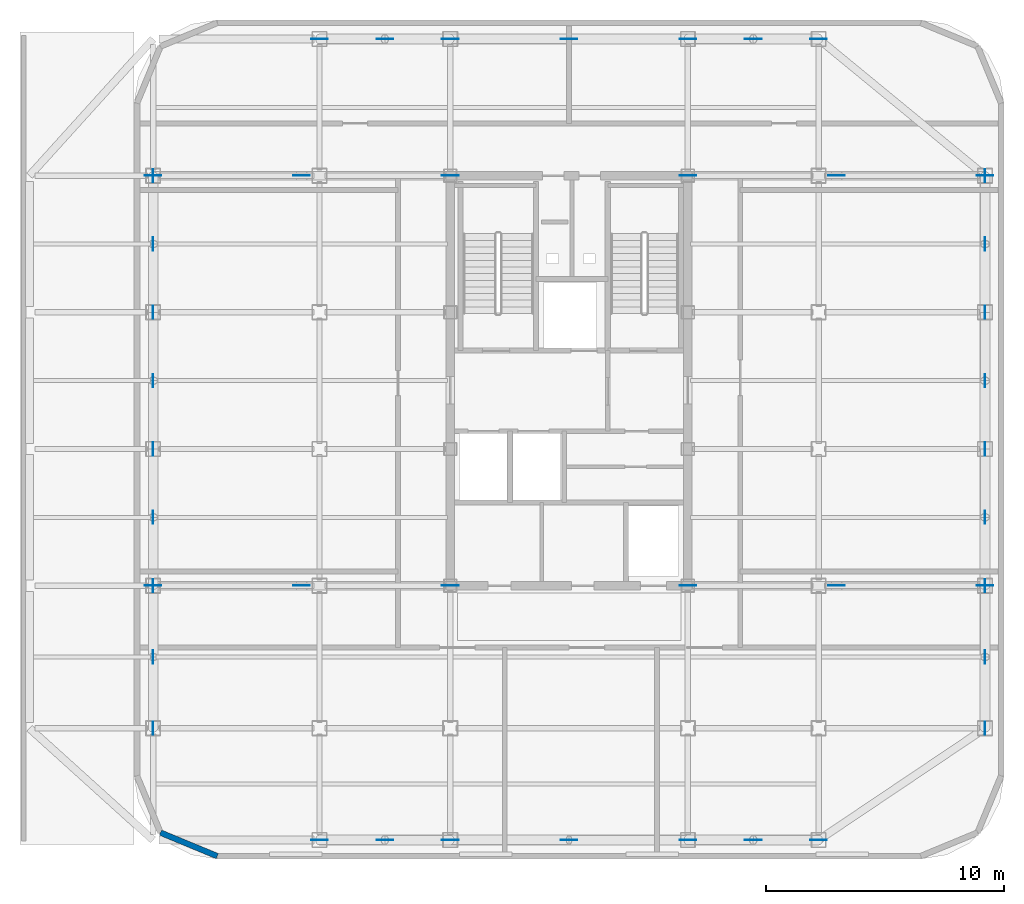
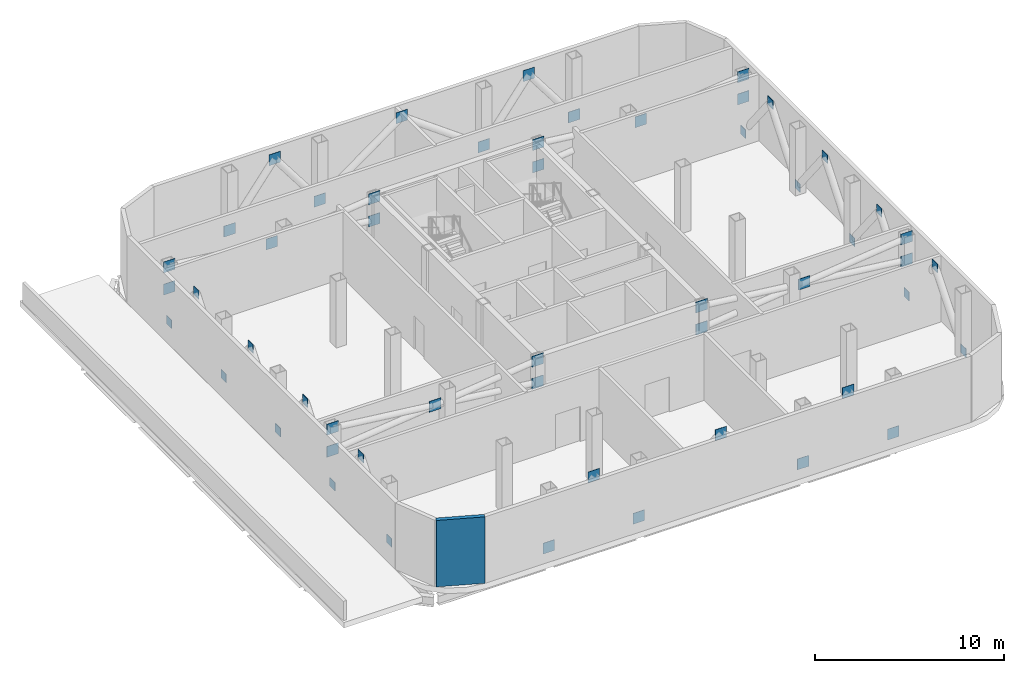
# One storey, part 4 of 7: 52 plates, 1 wall.
"""IFC4 building model written with IfcOpenShell, lengths in metres."""

from ifc_helpers import new_model, si_unit, direction, frame, frame_2d, origin, origin_2d, place, context, subcontext, project, spatial, rectangle, extrude, source, transform, mapped, material, layer, layer_set, type_object, element, save


model = new_model("IFC4")

# Units and contexts
model_context = context("Model", 3, precision=1e-05, world=origin(), true_north=direction((0.0, 1.0)))
body_context = subcontext(model_context, "Body", "Model", "MODEL_VIEW")
ifc_project = project(units=[si_unit("LENGTHUNIT", "METRE"), si_unit("AREAUNIT", "SQUARE_METRE"), si_unit("VOLUMEUNIT", "CUBIC_METRE"), si_unit("PLANEANGLEUNIT", "RADIAN"), si_unit("MASSUNIT", "GRAM", prefix="KILO")], contexts=[model_context])

# Site, building, storey
site_placement = place(None, origin())
site = spatial("IfcSite", under=ifc_project, at=site_placement, CompositionType="ELEMENT")
building_placement = place(site_placement, origin())
building = spatial("IfcBuilding", under=site, at=building_placement, Name="Kolveth Station Tower", CompositionType="ELEMENT")
storey_placement = place(building_placement, frame((0.0, 0.0, 215.60009765625)))
storey = spatial("IfcBuildingStorey", under=building, at=storey_placement, Name="L61", CompositionType="ELEMENT", Elevation=215.60009765625)

# Plates
ifc_material_1 = material(Name="Steel S355", Category="steel")
ifc_layer_1 = layer(ifc_material_1, 0.02490234375)
ifc_layer_set_1 = layer_set([ifc_layer_1], Name="Steel S355")
plate_type_1 = type_object("IfcPlateType", Name="Plate_GP2", PredefinedType="USERDEFINED", material=ifc_layer_set_1)
shared_shape_1 = source(origin(), body_context, "Body", "SweptSolid", [
    extrude(rectangle(XDim=0.699951171875, YDim=0.02490234375, at=origin_2d()), origin(), (0.0, 0.0, 1.0), 0.699951171875),
])
for number, where, z_axis, x_axis, name in (
    (1, (13.0, 0.800048828125, 0.0), (0.0, 0.0, 1.0), (1.0, 0.0, 0.0), "L61 Belt Truss Base Gusset S1"),
    (2, (18.5, 0.800048828125, 0.0), (0.0, 0.0, 1.0), (1.0, 0.0, 0.0), "L61 Belt Truss Base Gusset S2"),
    (3, (28.5, 0.800048828125, 0.0), (0.0, 0.0, 1.0), (1.0, 0.0, 0.0), "L61 Belt Truss Base Gusset S3"),
    (4, (34.0, 0.800048828125, 0.0), (0.0, 0.0, 1.0), (1.0, 0.0, 0.0), "L61 Belt Truss Base Gusset S4"),
    (5, (15.75, 0.800048828125, 3.6298828125), (0.0, 0.0, 1.0), (1.0, 0.0, 0.0), "L61 Belt Truss Node Gusset S1"),
    (6, (23.5, 0.800048828125, 3.6298828125), (0.0, 0.0, 1.0), (1.0, 0.0, 0.0), "L61 Belt Truss Node Gusset S2"),
    (7, (31.25, 0.800048828125, 3.6298828125), (0.0, 0.0, 1.0), (1.0, 0.0, 0.0), "L61 Belt Truss Node Gusset S3"),
    (8, (13.0, 34.5, 0.0), (0.0, 0.0, 1.0), (1.0, 0.0, 0.0), "L61 Belt Truss Base Gusset N1"),
    (9, (18.5, 34.5, 0.0), (0.0, 0.0, 1.0), (1.0, 0.0, 0.0), "L61 Belt Truss Base Gusset N2"),
    (10, (28.5, 34.5, 0.0), (0.0, 0.0, 1.0), (1.0, 0.0, 0.0), "L61 Belt Truss Base Gusset N3"),
    (11, (34.0, 34.5, 0.0), (0.0, 0.0, 1.0), (1.0, 0.0, 0.0), "L61 Belt Truss Base Gusset N4"),
    (12, (15.75, 34.5, 3.6298828125), (0.0, 0.0, 1.0), (1.0, 0.0, 0.0), "L61 Belt Truss Node Gusset N1"),
    (13, (23.5, 34.5, 3.6298828125), (0.0, 0.0, 1.0), (1.0, 0.0, 0.0), "L61 Belt Truss Node Gusset N2"),
    (14, (31.25, 34.5, 3.6298828125), (0.0, 0.0, 1.0), (1.0, 0.0, 0.0), "L61 Belt Truss Node Gusset N3"),
    (15, (12.25, 11.5, 2.9150390625), (0.0, 0.0, 1.0), (1.0, 0.0, 0.0), "L61 Outrigger X-Crossing Gusset 1"),
    (16, (6.0, 11.5, 2.19970703125), (0.0, 0.0, 1.0), (1.0, 0.0, 0.0), "L61 Outrigger End Gusset 1.1"),
    (17, (18.5, 11.5, 3.6298828125), (0.0, 0.0, 1.0), (1.0, 0.0, 0.0), "L61 Outrigger End Gusset 1.2"),
    (18, (18.5, 11.5, 2.19970703125), (0.0, 0.0, 1.0), (1.0, 0.0, 0.0), "L61 Outrigger End Gusset 1.3"),
    (19, (6.0, 11.5, 3.6298828125), (0.0, 0.0, 1.0), (1.0, 0.0, 0.0), "L61 Outrigger End Gusset 1.4"),
    (20, (34.75, 11.5, 2.9150390625), (0.0, 0.0, 1.0), (1.0, 0.0, 0.0), "L61 Outrigger X-Crossing Gusset 2"),
    (21, (28.5, 11.5, 2.19970703125), (0.0, 0.0, 1.0), (1.0, 0.0, 0.0), "L61 Outrigger End Gusset 2.1"),
    (22, (41.0, 11.5, 3.6298828125), (0.0, 0.0, 1.0), (1.0, 0.0, 0.0), "L61 Outrigger End Gusset 2.2"),
    (23, (41.0, 11.5, 2.19970703125), (0.0, 0.0, 1.0), (1.0, 0.0, 0.0), "L61 Outrigger End Gusset 2.3"),
    (24, (28.5, 11.5, 3.6298828125), (0.0, 0.0, 1.0), (1.0, 0.0, 0.0), "L61 Outrigger End Gusset 2.4"),
    (25, (12.25, 28.75, 2.9150390625), (0.0, 0.0, 1.0), (1.0, 0.0, 0.0), "L61 Outrigger X-Crossing Gusset 3"),
    (26, (6.0, 28.75, 2.19970703125), (0.0, 0.0, 1.0), (1.0, 0.0, 0.0), "L61 Outrigger End Gusset 3.1"),
    (27, (18.5, 28.75, 3.6298828125), (0.0, 0.0, 1.0), (1.0, 0.0, 0.0), "L61 Outrigger End Gusset 3.2"),
    (28, (18.5, 28.75, 2.19970703125), (0.0, 0.0, 1.0), (1.0, 0.0, 0.0), "L61 Outrigger End Gusset 3.3"),
    (29, (6.0, 28.75, 3.6298828125), (0.0, 0.0, 1.0), (1.0, 0.0, 0.0), "L61 Outrigger End Gusset 3.4"),
    (30, (34.75, 28.75, 2.9150390625), (0.0, 0.0, 1.0), (1.0, 0.0, 0.0), "L61 Outrigger X-Crossing Gusset 4"),
    (31, (28.5, 28.75, 2.19970703125), (0.0, 0.0, 1.0), (1.0, 0.0, 0.0), "L61 Outrigger End Gusset 4.1"),
    (32, (41.0, 28.75, 3.6298828125), (0.0, 0.0, 1.0), (1.0, 0.0, 0.0), "L61 Outrigger End Gusset 4.2"),
    (33, (41.0, 28.75, 2.19970703125), (0.0, 0.0, 1.0), (1.0, 0.0, 0.0), "L61 Outrigger End Gusset 4.3"),
    (34, (28.5, 28.75, 3.6298828125), (0.0, 0.0, 1.0), (1.0, 0.0, 0.0), "L61 Outrigger End Gusset 4.4"),
):
    element("IfcPlate", number, at=place(storey_placement, frame(where, z_axis=z_axis, x_axis=x_axis)), inside=storey, type_object=plate_type_1, Name=name, ObjectType="GUSSET_PLATE", PredefinedType="USERDEFINED", context=body_context, shape_type="MappedRepresentation", body=[
        mapped(shared_shape_1, transform((0.0, 0.0, 0.0), x_axis=(1.0, 0.0, 0.0), y_axis=(0.0, 1.0, 0.0), z_axis=(0.0, 0.0, 1.0), scale=1.0)),
    ])
ifc_layer_2 = layer(ifc_material_1, 0.028076171875)
ifc_layer_set_2 = layer_set([ifc_layer_2], Name="Steel S355")
plate_type_2 = type_object("IfcPlateType", Name="Plate_CP1", PredefinedType="USERDEFINED", material=ifc_layer_set_2)
shared_shape_2 = source(origin(), body_context, "Body", "SweptSolid", [
    extrude(rectangle(XDim=0.028076171875, YDim=0.550048828125, at=origin_2d()), origin(), (0.0, 0.0, 1.0), 0.550048828125),
])
for number, where, z_axis, x_axis, name in (
    (35, (6.0, 5.5, 0.07470703125), (0.0, 0.0, 1.0), (1.0, 0.0, 0.0), "L61 Belt Truss Base Plate W1"),
    (36, (6.0, 11.5, 0.07470703125), (0.0, 0.0, 1.0), (1.0, 0.0, 0.0), "L61 Belt Truss Base Plate W2"),
    (37, (6.0, 17.25, 0.07470703125), (0.0, 0.0, 1.0), (1.0, 0.0, 0.0), "L61 Belt Truss Base Plate W3"),
    (38, (6.0, 23.0, 0.07470703125), (0.0, 0.0, 1.0), (1.0, 0.0, 0.0), "L61 Belt Truss Base Plate W4"),
    (39, (6.0, 28.75, 0.07470703125), (0.0, 0.0, 1.0), (1.0, 0.0, 0.0), "L61 Belt Truss Base Plate W5"),
    (40, (6.0, 8.5, 3.705078125), (0.0, 0.0, 1.0), (1.0, 0.0, 0.0), "L61 Belt Truss Cap Plate W1"),
    (41, (6.0, 14.375, 3.705078125), (0.0, 0.0, 1.0), (1.0, 0.0, 0.0), "L61 Belt Truss Cap Plate W2"),
    (42, (6.0, 20.125, 3.705078125), (0.0, 0.0, 1.0), (1.0, 0.0, 0.0), "L61 Belt Truss Cap Plate W3"),
    (43, (6.0, 25.875, 3.705078125), (0.0, 0.0, 1.0), (1.0, 0.0, 0.0), "L61 Belt Truss Cap Plate W4"),
    (44, (41.0, 5.5, 0.07470703125), (0.0, 0.0, 1.0), (1.0, 0.0, 0.0), "L61 Belt Truss Base Plate E1"),
    (45, (41.0, 11.5, 0.07470703125), (0.0, 0.0, 1.0), (1.0, 0.0, 0.0), "L61 Belt Truss Base Plate E2"),
    (46, (41.0, 17.25, 0.07470703125), (0.0, 0.0, 1.0), (1.0, 0.0, 0.0), "L61 Belt Truss Base Plate E3"),
    (47, (41.0, 23.0, 0.07470703125), (0.0, 0.0, 1.0), (1.0, 0.0, 0.0), "L61 Belt Truss Base Plate E4"),
    (48, (41.0, 28.75, 0.07470703125), (0.0, 0.0, 1.0), (1.0, 0.0, 0.0), "L61 Belt Truss Base Plate E5"),
    (49, (41.0, 8.5, 3.705078125), (0.0, 0.0, 1.0), (1.0, 0.0, 0.0), "L61 Belt Truss Cap Plate E1"),
    (50, (41.0, 14.375, 3.705078125), (0.0, 0.0, 1.0), (1.0, 0.0, 0.0), "L61 Belt Truss Cap Plate E2"),
    (51, (41.0, 20.125, 3.705078125), (0.0, 0.0, 1.0), (1.0, 0.0, 0.0), "L61 Belt Truss Cap Plate E3"),
    (52, (41.0, 25.875, 3.705078125), (0.0, 0.0, 1.0), (1.0, 0.0, 0.0), "L61 Belt Truss Cap Plate E4"),
):
    element("IfcPlate", number, at=place(storey_placement, frame(where, z_axis=z_axis, x_axis=x_axis)), inside=storey, type_object=plate_type_2, Name=name, ObjectType="GUSSET_PLATE", PredefinedType="USERDEFINED", context=body_context, shape_type="MappedRepresentation", body=[
        mapped(shared_shape_2, transform((0.0, 0.0, 0.0), x_axis=(1.0, 0.0, 0.0), y_axis=(0.0, 1.0, 0.0), z_axis=(0.0, 0.0, 1.0), scale=1.0)),
    ])

# Wall
ifc_material_2 = material(Name="Precast concrete C40/50", Category="concrete")
ifc_layer_3 = layer(ifc_material_2, 0.239990234375)
ifc_layer_set_3 = layer_set([ifc_layer_3], Name="Precast concrete C40/50")
wall_type = type_object("IfcWallType", Name="Wall_EW-240", PredefinedType="SOLIDWALL", material=ifc_layer_set_3)
wall_placement = place(storey_placement, frame((6.31005859375, 1.110107421875, 0.0), z_axis=(0.0, 0.0, 1.0), x_axis=(0.923870741917, -0.382704654048, 0.0)))
element("IfcWall", 53, at=wall_placement, inside=storey, type_object=wall_type, Name="L61 Plant Perimeter Spandrel Wall 11", PredefinedType="SOLIDWALL", context=body_context, shape_type="SweptSolid", body=[
    extrude(rectangle(XDim=2.5869140625, YDim=0.239990234375, at=frame_2d((1.29345703125, 0.0))), origin(), (0.0, 0.0, 1.0), 4.27978515625),
])

save(model, "model.ifc")
